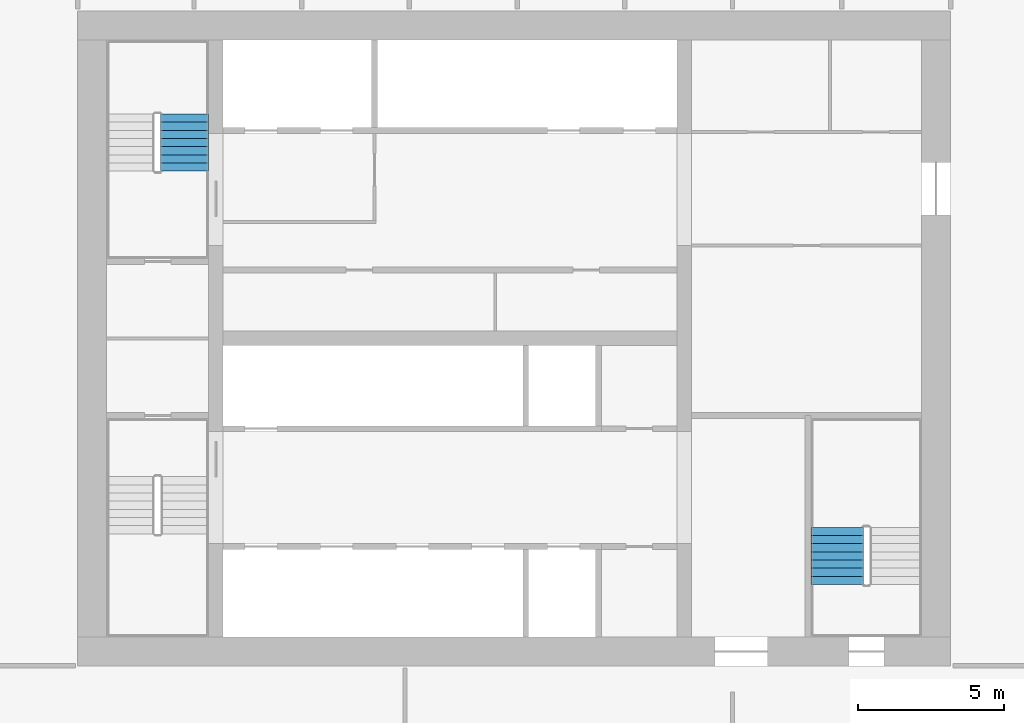
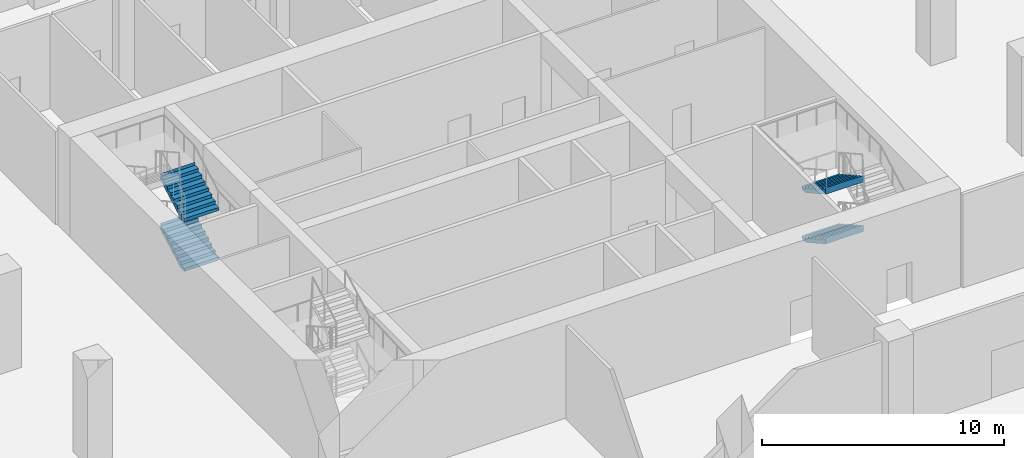
# One storey, part 15 of 32: 4 stair flights, 2 elements without a shape of their own.
"""IFC4 building model written with IfcOpenShell, lengths in metres."""

from ifc_helpers import new_model, si_unit, direction, frame, origin, place, context, subcontext, project, spatial, polyline, outline, extrude, material, type_object, element, aggregate, save


model = new_model("IFC4")

# Units and contexts
model_context = context("Model", 3, precision=1e-05, world=origin(), true_north=direction((0.0, 1.0)))
body_context = subcontext(model_context, "Body", "Model", "MODEL_VIEW")
ifc_project = project(units=[si_unit("LENGTHUNIT", "METRE"), si_unit("AREAUNIT", "SQUARE_METRE"), si_unit("VOLUMEUNIT", "CUBIC_METRE"), si_unit("PLANEANGLEUNIT", "RADIAN"), si_unit("MASSUNIT", "GRAM", prefix="KILO")], contexts=[model_context])

# Site, building, storey
site_placement = place(None, origin())
site = spatial("IfcSite", under=ifc_project, at=site_placement, CompositionType="ELEMENT")
building_placement = place(site_placement, origin())
building = spatial("IfcBuilding", under=site, at=building_placement, Name="Tamorin Gate", CompositionType="ELEMENT")
storey_placement = place(building_placement, frame((0.0, 0.0, 18.5)))
storey = spatial("IfcBuildingStorey", under=building, at=storey_placement, Name="L03", CompositionType="ELEMENT", Elevation=18.5)

# Stair, stair flights
ifc_material = material(Name="Concrete C40/50", Category="concrete")
stair_type = type_object("IfcStairType", Name="Exit stair", PredefinedType="HALF_TURN_STAIR", material=ifc_material)
stair_1_placement = place(storey_placement, origin())
stair_1 = element("IfcStair", 1, at=stair_1_placement, inside=storey, type_object=stair_type, Name="L03 stair ST2", PredefinedType="HALF_TURN_STAIR")
stair_flight_type = type_object("IfcStairFlightType", Name="Exit stair flight", PredefinedType="STRAIGHT", material=ifc_material)
stair_flight_1_placement = place(storey_placement, frame((33.675048828125, 77.0, 0.0), z_axis=(0.0, 0.0, 1.0), x_axis=(0.0, 1.0, 0.0)))
stair_flight_1 = element("IfcStairFlight", 2, at=stair_flight_1_placement, type_object=stair_flight_type, Name="ST2 flight 1", NumberOfRisers=8, NumberOfTreads=7, PredefinedType="STRAIGHT", RiserHeight=0.15625, TreadLength=0.28, context=body_context, shape_type="SweptSolid", body=[
    extrude(outline(polyline([(-0.00048828125, 0.0), (-0.00048828125, 0.00146484375), (-0.00048828125, 0.003173828125), (-0.00048828125, 0.004638671875), (-0.00048828125, 0.006103515625), (-0.00048828125, 0.0078125), (-0.00048828125, 0.00927734375), (-0.00048828125, 0.0107421875), (-0.00048828125, 0.012451171875), (-0.00048828125, 0.013916015625), (-0.00048828125, 0.015380859375), (-0.00048828125, 0.01708984375), (-0.00048828125, 0.0185546875), (-0.00048828125, 0.02001953125), (-0.00048828125, 0.021728515625), (-0.00048828125, 0.023193359375), (-0.00048828125, 0.024658203125), (-0.00048828125, 0.0263671875), (-0.00048828125, 0.02783203125), (-0.00048828125, 0.029296875), (-0.00048828125, 0.031005859375), (-0.00048828125, 0.032470703125), (-0.00048828125, 0.033935546875), (-0.00048828125, 0.03564453125), (-0.00048828125, 0.037109375), (-0.00048828125, 0.03857421875), (-0.00048828125, 0.040283203125), (-0.00048828125, 0.041748046875), (-0.00048828125, 0.043212890625), (-0.00048828125, 0.044921875), (-0.00048828125, 0.04638671875), (-0.00048828125, 0.0478515625), (-0.00048828125, 0.049560546875), (-0.00048828125, 0.051025390625), (-0.00048828125, 0.052490234375), (-0.00048828125, 0.05419921875), (-0.00048828125, 0.0556640625), (-0.00048828125, 0.05712890625), (-0.00048828125, 0.058837890625), (-0.00048828125, 0.060302734375), (-0.00048828125, 0.061767578125), (-0.00048828125, 0.0634765625), (-0.00048828125, 0.06494140625), (-0.00048828125, 0.06640625), (-0.00048828125, 0.068115234375), (-0.00048828125, 0.069580078125), (-0.00048828125, 0.071044921875), (-0.00048828125, 0.07275390625), (-0.00048828125, 0.07421875), (-0.00048828125, 0.07568359375), (-0.00048828125, 0.077392578125), (-0.00048828125, 0.078857421875), (-0.00048828125, 0.08056640625), (-0.00048828125, 0.08203125), (-0.00048828125, 0.08349609375), (-0.00048828125, 0.085205078125), (-0.00048828125, 0.086669921875), (-0.00048828125, 0.088134765625), (-0.00048828125, 0.08984375), (-0.00048828125, 0.09130859375), (-0.00048828125, 0.0927734375), (-0.00048828125, 0.094482421875), (-0.00048828125, 0.095947265625), (-0.00048828125, 0.097412109375), (-0.00048828125, 0.09912109375), (-0.00048828125, 0.1005859375), (-0.00048828125, 0.10205078125), (-0.00048828125, 0.103759765625), (-0.00048828125, 0.105224609375), (-0.00048828125, 0.106689453125), (-0.00048828125, 0.1083984375), (-0.00048828125, 0.10986328125), (-0.00048828125, 0.111328125), (-0.00048828125, 0.113037109375), (-0.00048828125, 0.114501953125), (-0.00048828125, 0.115966796875), (-0.00048828125, 0.11767578125), (-0.00048828125, 0.119140625), (-0.00048828125, 0.12060546875), (-0.00048828125, 0.122314453125), (-0.00048828125, 0.123779296875), (-0.00048828125, 0.125244140625), (-0.00048828125, 0.126953125), (-0.00048828125, 0.12841796875), (-0.00048828125, 0.1298828125), (-0.00048828125, 0.131591796875), (-0.00048828125, 0.133056640625), (-0.00048828125, 0.134521484375), (-0.00048828125, 0.13623046875), (-0.00048828125, 0.1376953125), (-0.00048828125, 0.13916015625), (-0.00048828125, 0.140869140625), (-0.00048828125, 0.142333984375), (-0.00048828125, 0.143798828125), (-0.00048828125, 0.1455078125), (-0.00048828125, 0.14697265625), (-0.00048828125, 0.1484375), (-0.00048828125, 0.150146484375), (-0.00048828125, 0.151611328125), (-0.00048828125, 0.153076171875), (-0.00048828125, 0.15478515625), (-0.00048828125, 0.15625), (0.280029296875, 0.15625), (0.280029296875, 0.3125), (0.56005859375, 0.3125), (0.56005859375, 0.46875), (0.840087890625, 0.46875), (0.840087890625, 0.625), (1.1201171875, 0.625), (1.1201171875, 0.78125), (1.39990234375, 0.78125), (1.39990234375, 0.9375), (1.679931640625, 0.9375), (1.679931640625, 1.09375), (1.9599609375, 1.09375), (1.9599609375, 1.25), (1.96044921875, 1.25), (1.96044921875, 1.246826171875), (1.96044921875, 1.243408203125), (1.96044921875, 1.240234375), (1.96044921875, 1.237060546875), (1.96044921875, 1.23388671875), (1.96044921875, 1.23046875), (1.96044921875, 1.227294921875), (1.96044921875, 1.22412109375), (1.96044921875, 1.220703125), (1.96044921875, 1.217529296875), (1.96044921875, 1.21435546875), (1.96044921875, 1.2109375), (1.96044921875, 1.207763671875), (1.96044921875, 1.20458984375), (1.96044921875, 1.201416015625), (1.96044921875, 1.197998046875), (1.96044921875, 1.19482421875), (1.96044921875, 1.191650390625), (1.96044921875, 1.188232421875), (1.96044921875, 1.18505859375), (1.96044921875, 1.181884765625), (1.96044921875, 1.178466796875), (1.96044921875, 1.17529296875), (1.96044921875, 1.172119140625), (1.96044921875, 1.1689453125), (1.96044921875, 1.16552734375), (1.96044921875, 1.162353515625), (1.96044921875, 1.1591796875), (1.96044921875, 1.15576171875), (1.96044921875, 1.152587890625), (1.96044921875, 1.1494140625), (1.96044921875, 1.14599609375), (1.96044921875, 1.142822265625), (1.96044921875, 1.1396484375), (1.96044921875, 1.136474609375), (1.96044921875, 1.133056640625), (1.96044921875, 1.1298828125), (1.96044921875, 1.126708984375), (1.96044921875, 1.123291015625), (1.96044921875, 1.1201171875), (1.96044921875, 1.116943359375), (1.96044921875, 1.113525390625), (1.96044921875, 1.1103515625), (1.96044921875, 1.107177734375), (1.96044921875, 1.10400390625), (1.96044921875, 1.1005859375), (1.96044921875, 1.097412109375), (1.96044921875, 1.09423828125), (1.96044921875, 1.0908203125), (1.96044921875, 1.087646484375), (1.96044921875, 1.08447265625), (1.96044921875, 1.0810546875), (1.96044921875, 1.077880859375), (1.96044921875, 1.07470703125), (1.96044921875, 1.071533203125), (1.96044921875, 1.068115234375), (1.96044921875, 1.06494140625), (1.96044921875, 1.061767578125), (1.96044921875, 1.058349609375), (1.96044921875, 1.05517578125), (1.96044921875, 1.052001953125), (1.96044921875, 1.048828125), (1.96044921875, 1.04541015625), (1.96044921875, 1.042236328125), (1.96044921875, 1.0390625), (1.96044921875, 1.03564453125), (1.96044921875, 1.032470703125), (1.96044921875, 1.029296875), (1.96044921875, 1.02587890625), (1.96044921875, 1.022705078125), (1.96044921875, 1.01953125), (1.96044921875, 1.016357421875), (1.96044921875, 1.012939453125), (1.96044921875, 1.009765625), (1.96044921875, 1.006591796875), (1.96044921875, 1.003173828125), (1.96044921875, 1.0), (1.96044921875, 0.996826171875), (1.96044921875, 0.993408203125), (1.96044921875, 0.990234375), (1.96044921875, 0.987060546875), (1.96044921875, 0.98388671875), (1.96044921875, 0.98046875), (1.96044921875, 0.977294921875), (1.96044921875, 0.97412109375), (1.96044921875, 0.970703125), (1.96044921875, 0.967529296875), (1.96044921875, 0.96435546875), (1.96044921875, 0.9609375), (1.96044921875, 0.957763671875), (1.96044921875, 0.95458984375), (1.96044921875, 0.951416015625), (1.96044921875, 0.947998046875), (1.96044921875, 0.94482421875), (1.96044921875, 0.941650390625), (1.96044921875, 0.938232421875), (1.96044921875, 0.93505859375), (1.96044921875, 0.931884765625), (1.96044921875, 0.928466796875), (1.96044921875, 0.92529296875), (1.96044921875, 0.922119140625), (1.9599609375, 0.922119140625), (0.3076171875, 0.0), (-0.00048828125, 0.0)])), frame((0.0, 0.824951171875, 0.0), z_axis=(0.0, -1.0, 0.0), x_axis=(1.0, 0.0, 0.0)), (0.0, 0.0, 1.0), 1.64990234375),
])
stair_flight_2_placement = place(storey_placement, frame((33.675048828125, 77.0, 2.5), z_axis=(0.0, 0.0, 1.0), x_axis=(0.0, 1.0, 0.0)))
stair_flight_2 = element("IfcStairFlight", 3, at=stair_flight_2_placement, type_object=stair_flight_type, Name="ST2 flight 3", NumberOfRisers=8, NumberOfTreads=7, PredefinedType="STRAIGHT", RiserHeight=0.15625, TreadLength=0.28, context=body_context, shape_type="SweptSolid", body=[
    extrude(outline(polyline([(-0.00048828125, 0.0), (-0.00048828125, 0.00146484375), (-0.00048828125, 0.003173828125), (-0.00048828125, 0.004638671875), (-0.00048828125, 0.006103515625), (-0.00048828125, 0.0078125), (-0.00048828125, 0.00927734375), (-0.00048828125, 0.0107421875), (-0.00048828125, 0.012451171875), (-0.00048828125, 0.013916015625), (-0.00048828125, 0.015380859375), (-0.00048828125, 0.01708984375), (-0.00048828125, 0.0185546875), (-0.00048828125, 0.02001953125), (-0.00048828125, 0.021728515625), (-0.00048828125, 0.023193359375), (-0.00048828125, 0.024658203125), (-0.00048828125, 0.0263671875), (-0.00048828125, 0.02783203125), (-0.00048828125, 0.029296875), (-0.00048828125, 0.031005859375), (-0.00048828125, 0.032470703125), (-0.00048828125, 0.033935546875), (-0.00048828125, 0.03564453125), (-0.00048828125, 0.037109375), (-0.00048828125, 0.03857421875), (-0.00048828125, 0.040283203125), (-0.00048828125, 0.041748046875), (-0.00048828125, 0.043212890625), (-0.00048828125, 0.044921875), (-0.00048828125, 0.04638671875), (-0.00048828125, 0.0478515625), (-0.00048828125, 0.049560546875), (-0.00048828125, 0.051025390625), (-0.00048828125, 0.052490234375), (-0.00048828125, 0.05419921875), (-0.00048828125, 0.0556640625), (-0.00048828125, 0.05712890625), (-0.00048828125, 0.058837890625), (-0.00048828125, 0.060302734375), (-0.00048828125, 0.061767578125), (-0.00048828125, 0.0634765625), (-0.00048828125, 0.06494140625), (-0.00048828125, 0.06640625), (-0.00048828125, 0.068115234375), (-0.00048828125, 0.069580078125), (-0.00048828125, 0.071044921875), (-0.00048828125, 0.07275390625), (-0.00048828125, 0.07421875), (-0.00048828125, 0.07568359375), (-0.00048828125, 0.077392578125), (-0.00048828125, 0.078857421875), (-0.00048828125, 0.08056640625), (-0.00048828125, 0.08203125), (-0.00048828125, 0.08349609375), (-0.00048828125, 0.085205078125), (-0.00048828125, 0.086669921875), (-0.00048828125, 0.088134765625), (-0.00048828125, 0.08984375), (-0.00048828125, 0.09130859375), (-0.00048828125, 0.0927734375), (-0.00048828125, 0.094482421875), (-0.00048828125, 0.095947265625), (-0.00048828125, 0.097412109375), (-0.00048828125, 0.09912109375), (-0.00048828125, 0.1005859375), (-0.00048828125, 0.10205078125), (-0.00048828125, 0.103759765625), (-0.00048828125, 0.105224609375), (-0.00048828125, 0.106689453125), (-0.00048828125, 0.1083984375), (-0.00048828125, 0.10986328125), (-0.00048828125, 0.111328125), (-0.00048828125, 0.113037109375), (-0.00048828125, 0.114501953125), (-0.00048828125, 0.115966796875), (-0.00048828125, 0.11767578125), (-0.00048828125, 0.119140625), (-0.00048828125, 0.12060546875), (-0.00048828125, 0.122314453125), (-0.00048828125, 0.123779296875), (-0.00048828125, 0.125244140625), (-0.00048828125, 0.126953125), (-0.00048828125, 0.12841796875), (-0.00048828125, 0.1298828125), (-0.00048828125, 0.131591796875), (-0.00048828125, 0.133056640625), (-0.00048828125, 0.134521484375), (-0.00048828125, 0.13623046875), (-0.00048828125, 0.1376953125), (-0.00048828125, 0.13916015625), (-0.00048828125, 0.140869140625), (-0.00048828125, 0.142333984375), (-0.00048828125, 0.143798828125), (-0.00048828125, 0.1455078125), (-0.00048828125, 0.14697265625), (-0.00048828125, 0.1484375), (-0.00048828125, 0.150146484375), (-0.00048828125, 0.151611328125), (-0.00048828125, 0.153076171875), (-0.00048828125, 0.15478515625), (-0.00048828125, 0.15625), (0.280029296875, 0.15625), (0.280029296875, 0.3125), (0.56005859375, 0.3125), (0.56005859375, 0.46875), (0.840087890625, 0.46875), (0.840087890625, 0.625), (1.1201171875, 0.625), (1.1201171875, 0.78125), (1.39990234375, 0.78125), (1.39990234375, 0.9375), (1.679931640625, 0.9375), (1.679931640625, 1.09375), (1.9599609375, 1.09375), (1.9599609375, 1.25), (1.96044921875, 1.25), (1.96044921875, 1.246826171875), (1.96044921875, 1.243408203125), (1.96044921875, 1.240234375), (1.96044921875, 1.237060546875), (1.96044921875, 1.23388671875), (1.96044921875, 1.23046875), (1.96044921875, 1.227294921875), (1.96044921875, 1.22412109375), (1.96044921875, 1.220703125), (1.96044921875, 1.217529296875), (1.96044921875, 1.21435546875), (1.96044921875, 1.2109375), (1.96044921875, 1.207763671875), (1.96044921875, 1.20458984375), (1.96044921875, 1.201416015625), (1.96044921875, 1.197998046875), (1.96044921875, 1.19482421875), (1.96044921875, 1.191650390625), (1.96044921875, 1.188232421875), (1.96044921875, 1.18505859375), (1.96044921875, 1.181884765625), (1.96044921875, 1.178466796875), (1.96044921875, 1.17529296875), (1.96044921875, 1.172119140625), (1.96044921875, 1.1689453125), (1.96044921875, 1.16552734375), (1.96044921875, 1.162353515625), (1.96044921875, 1.1591796875), (1.96044921875, 1.15576171875), (1.96044921875, 1.152587890625), (1.96044921875, 1.1494140625), (1.96044921875, 1.14599609375), (1.96044921875, 1.142822265625), (1.96044921875, 1.1396484375), (1.96044921875, 1.136474609375), (1.96044921875, 1.133056640625), (1.96044921875, 1.1298828125), (1.96044921875, 1.126708984375), (1.96044921875, 1.123291015625), (1.96044921875, 1.1201171875), (1.96044921875, 1.116943359375), (1.96044921875, 1.113525390625), (1.96044921875, 1.1103515625), (1.96044921875, 1.107177734375), (1.96044921875, 1.10400390625), (1.96044921875, 1.1005859375), (1.96044921875, 1.097412109375), (1.96044921875, 1.09423828125), (1.96044921875, 1.0908203125), (1.96044921875, 1.087646484375), (1.96044921875, 1.08447265625), (1.96044921875, 1.0810546875), (1.96044921875, 1.077880859375), (1.96044921875, 1.07470703125), (1.96044921875, 1.071533203125), (1.96044921875, 1.068115234375), (1.96044921875, 1.06494140625), (1.96044921875, 1.061767578125), (1.96044921875, 1.058349609375), (1.96044921875, 1.05517578125), (1.96044921875, 1.052001953125), (1.96044921875, 1.048828125), (1.96044921875, 1.04541015625), (1.96044921875, 1.042236328125), (1.96044921875, 1.0390625), (1.96044921875, 1.03564453125), (1.96044921875, 1.032470703125), (1.96044921875, 1.029296875), (1.96044921875, 1.02587890625), (1.96044921875, 1.022705078125), (1.96044921875, 1.01953125), (1.96044921875, 1.016357421875), (1.96044921875, 1.012939453125), (1.96044921875, 1.009765625), (1.96044921875, 1.006591796875), (1.96044921875, 1.003173828125), (1.96044921875, 1.0), (1.96044921875, 0.996826171875), (1.96044921875, 0.993408203125), (1.96044921875, 0.990234375), (1.96044921875, 0.987060546875), (1.96044921875, 0.98388671875), (1.96044921875, 0.98046875), (1.96044921875, 0.977294921875), (1.96044921875, 0.97412109375), (1.96044921875, 0.970703125), (1.96044921875, 0.967529296875), (1.96044921875, 0.96435546875), (1.96044921875, 0.9609375), (1.96044921875, 0.957763671875), (1.96044921875, 0.95458984375), (1.96044921875, 0.951416015625), (1.96044921875, 0.947998046875), (1.96044921875, 0.94482421875), (1.96044921875, 0.941650390625), (1.96044921875, 0.938232421875), (1.96044921875, 0.93505859375), (1.96044921875, 0.931884765625), (1.96044921875, 0.928466796875), (1.96044921875, 0.92529296875), (1.96044921875, 0.922119140625), (1.9599609375, 0.922119140625), (0.3076171875, 0.0), (-0.00048828125, 0.0)])), frame((0.0, 0.824951171875, 0.0), z_axis=(0.0, -1.0, 0.0), x_axis=(1.0, 0.0, 0.0)), (0.0, 0.0, 1.0), 1.64990234375),
])
aggregate(stair_1, [stair_flight_1, stair_flight_2])

stair_2_placement = place(storey_placement, origin())
stair_2 = element("IfcStair", 4, at=stair_2_placement, inside=storey, type_object=stair_type, Name="L03 stair ST3", PredefinedType="HALF_TURN_STAIR")
stair_flight_3_placement = place(storey_placement, frame((56.10009765625, 64.760009765625, 1.25), z_axis=(0.0, 0.0, 1.0), x_axis=(0.0, -1.0, 0.0)))
stair_flight_3 = element("IfcStairFlight", 5, at=stair_flight_3_placement, type_object=stair_flight_type, Name="ST3 flight 2", NumberOfRisers=8, NumberOfTreads=7, PredefinedType="STRAIGHT", RiserHeight=0.15625, TreadLength=0.28, context=body_context, shape_type="SweptSolid", body=[
    extrude(outline(polyline([(-0.00048828125, 0.0), (-0.00048828125, 0.00146484375), (-0.00048828125, 0.003173828125), (-0.00048828125, 0.004638671875), (-0.00048828125, 0.006103515625), (-0.00048828125, 0.0078125), (-0.00048828125, 0.00927734375), (-0.00048828125, 0.0107421875), (-0.00048828125, 0.012451171875), (-0.00048828125, 0.013916015625), (-0.00048828125, 0.015380859375), (-0.00048828125, 0.01708984375), (-0.00048828125, 0.0185546875), (-0.00048828125, 0.02001953125), (-0.00048828125, 0.021728515625), (-0.00048828125, 0.023193359375), (-0.00048828125, 0.024658203125), (-0.00048828125, 0.0263671875), (-0.00048828125, 0.02783203125), (-0.00048828125, 0.029296875), (-0.00048828125, 0.031005859375), (-0.00048828125, 0.032470703125), (-0.00048828125, 0.033935546875), (-0.00048828125, 0.03564453125), (-0.00048828125, 0.037109375), (-0.00048828125, 0.03857421875), (-0.00048828125, 0.040283203125), (-0.00048828125, 0.041748046875), (-0.00048828125, 0.043212890625), (-0.00048828125, 0.044921875), (-0.00048828125, 0.04638671875), (-0.00048828125, 0.0478515625), (-0.00048828125, 0.049560546875), (-0.00048828125, 0.051025390625), (-0.00048828125, 0.052490234375), (-0.00048828125, 0.05419921875), (-0.00048828125, 0.0556640625), (-0.00048828125, 0.05712890625), (-0.00048828125, 0.058837890625), (-0.00048828125, 0.060302734375), (-0.00048828125, 0.061767578125), (-0.00048828125, 0.0634765625), (-0.00048828125, 0.06494140625), (-0.00048828125, 0.06640625), (-0.00048828125, 0.068115234375), (-0.00048828125, 0.069580078125), (-0.00048828125, 0.071044921875), (-0.00048828125, 0.07275390625), (-0.00048828125, 0.07421875), (-0.00048828125, 0.07568359375), (-0.00048828125, 0.077392578125), (-0.00048828125, 0.078857421875), (-0.00048828125, 0.08056640625), (-0.00048828125, 0.08203125), (-0.00048828125, 0.08349609375), (-0.00048828125, 0.085205078125), (-0.00048828125, 0.086669921875), (-0.00048828125, 0.088134765625), (-0.00048828125, 0.08984375), (-0.00048828125, 0.09130859375), (-0.00048828125, 0.0927734375), (-0.00048828125, 0.094482421875), (-0.00048828125, 0.095947265625), (-0.00048828125, 0.097412109375), (-0.00048828125, 0.09912109375), (-0.00048828125, 0.1005859375), (-0.00048828125, 0.10205078125), (-0.00048828125, 0.103759765625), (-0.00048828125, 0.105224609375), (-0.00048828125, 0.106689453125), (-0.00048828125, 0.1083984375), (-0.00048828125, 0.10986328125), (-0.00048828125, 0.111328125), (-0.00048828125, 0.113037109375), (-0.00048828125, 0.114501953125), (-0.00048828125, 0.115966796875), (-0.00048828125, 0.11767578125), (-0.00048828125, 0.119140625), (-0.00048828125, 0.12060546875), (-0.00048828125, 0.122314453125), (-0.00048828125, 0.123779296875), (-0.00048828125, 0.125244140625), (-0.00048828125, 0.126953125), (-0.00048828125, 0.12841796875), (-0.00048828125, 0.1298828125), (-0.00048828125, 0.131591796875), (-0.00048828125, 0.133056640625), (-0.00048828125, 0.134521484375), (-0.00048828125, 0.13623046875), (-0.00048828125, 0.1376953125), (-0.00048828125, 0.13916015625), (-0.00048828125, 0.140869140625), (-0.00048828125, 0.142333984375), (-0.00048828125, 0.143798828125), (-0.00048828125, 0.1455078125), (-0.00048828125, 0.14697265625), (-0.00048828125, 0.1484375), (-0.00048828125, 0.150146484375), (-0.00048828125, 0.151611328125), (-0.00048828125, 0.153076171875), (-0.00048828125, 0.15478515625), (-0.00048828125, 0.15625), (0.280029296875, 0.15625), (0.280029296875, 0.3125), (0.56005859375, 0.3125), (0.56005859375, 0.46875), (0.840087890625, 0.46875), (0.840087890625, 0.625), (1.1201171875, 0.625), (1.1201171875, 0.78125), (1.39990234375, 0.78125), (1.39990234375, 0.9375), (1.679931640625, 0.9375), (1.679931640625, 1.09375), (1.9599609375, 1.09375), (1.9599609375, 1.25), (1.96044921875, 1.25), (1.96044921875, 1.246826171875), (1.96044921875, 1.243408203125), (1.96044921875, 1.240234375), (1.96044921875, 1.237060546875), (1.96044921875, 1.23388671875), (1.96044921875, 1.23046875), (1.96044921875, 1.227294921875), (1.96044921875, 1.22412109375), (1.96044921875, 1.220703125), (1.96044921875, 1.217529296875), (1.96044921875, 1.21435546875), (1.96044921875, 1.2109375), (1.96044921875, 1.207763671875), (1.96044921875, 1.20458984375), (1.96044921875, 1.201416015625), (1.96044921875, 1.197998046875), (1.96044921875, 1.19482421875), (1.96044921875, 1.191650390625), (1.96044921875, 1.188232421875), (1.96044921875, 1.18505859375), (1.96044921875, 1.181884765625), (1.96044921875, 1.178466796875), (1.96044921875, 1.17529296875), (1.96044921875, 1.172119140625), (1.96044921875, 1.1689453125), (1.96044921875, 1.16552734375), (1.96044921875, 1.162353515625), (1.96044921875, 1.1591796875), (1.96044921875, 1.15576171875), (1.96044921875, 1.152587890625), (1.96044921875, 1.1494140625), (1.96044921875, 1.14599609375), (1.96044921875, 1.142822265625), (1.96044921875, 1.1396484375), (1.96044921875, 1.136474609375), (1.96044921875, 1.133056640625), (1.96044921875, 1.1298828125), (1.96044921875, 1.126708984375), (1.96044921875, 1.123291015625), (1.96044921875, 1.1201171875), (1.96044921875, 1.116943359375), (1.96044921875, 1.113525390625), (1.96044921875, 1.1103515625), (1.96044921875, 1.107177734375), (1.96044921875, 1.10400390625), (1.96044921875, 1.1005859375), (1.96044921875, 1.097412109375), (1.96044921875, 1.09423828125), (1.96044921875, 1.0908203125), (1.96044921875, 1.087646484375), (1.96044921875, 1.08447265625), (1.96044921875, 1.0810546875), (1.96044921875, 1.077880859375), (1.96044921875, 1.07470703125), (1.96044921875, 1.071533203125), (1.96044921875, 1.068115234375), (1.96044921875, 1.06494140625), (1.96044921875, 1.061767578125), (1.96044921875, 1.058349609375), (1.96044921875, 1.05517578125), (1.96044921875, 1.052001953125), (1.96044921875, 1.048828125), (1.96044921875, 1.04541015625), (1.96044921875, 1.042236328125), (1.96044921875, 1.0390625), (1.96044921875, 1.03564453125), (1.96044921875, 1.032470703125), (1.96044921875, 1.029296875), (1.96044921875, 1.02587890625), (1.96044921875, 1.022705078125), (1.96044921875, 1.01953125), (1.96044921875, 1.016357421875), (1.96044921875, 1.012939453125), (1.96044921875, 1.009765625), (1.96044921875, 1.006591796875), (1.96044921875, 1.003173828125), (1.96044921875, 1.0), (1.96044921875, 0.996826171875), (1.96044921875, 0.993408203125), (1.96044921875, 0.990234375), (1.96044921875, 0.987060546875), (1.96044921875, 0.98388671875), (1.96044921875, 0.98046875), (1.96044921875, 0.977294921875), (1.96044921875, 0.97412109375), (1.96044921875, 0.970703125), (1.96044921875, 0.967529296875), (1.96044921875, 0.96435546875), (1.96044921875, 0.9609375), (1.96044921875, 0.957763671875), (1.96044921875, 0.95458984375), (1.96044921875, 0.951416015625), (1.96044921875, 0.947998046875), (1.96044921875, 0.94482421875), (1.96044921875, 0.941650390625), (1.96044921875, 0.938232421875), (1.96044921875, 0.93505859375), (1.96044921875, 0.931884765625), (1.96044921875, 0.928466796875), (1.96044921875, 0.92529296875), (1.96044921875, 0.922119140625), (1.9599609375, 0.922119140625), (0.3076171875, 0.0), (-0.00048828125, 0.0)])), frame((0.0, 0.89990234375, 0.0), z_axis=(0.0, -1.0, 0.0), x_axis=(1.0, 0.0, 0.0)), (0.0, 0.0, 1.0), 1.800048828125),
])
stair_flight_4_placement = place(storey_placement, frame((56.10009765625, 64.760009765625, 3.75), z_axis=(0.0, 0.0, 1.0), x_axis=(0.0, -1.0, 0.0)))
stair_flight_4 = element("IfcStairFlight", 6, at=stair_flight_4_placement, type_object=stair_flight_type, Name="ST3 flight 4", NumberOfRisers=8, NumberOfTreads=7, PredefinedType="STRAIGHT", RiserHeight=0.15625, TreadLength=0.28, context=body_context, shape_type="SweptSolid", body=[
    extrude(outline(polyline([(-0.00048828125, 0.0), (-0.00048828125, 0.00146484375), (-0.00048828125, 0.003173828125), (-0.00048828125, 0.004638671875), (-0.00048828125, 0.006103515625), (-0.00048828125, 0.0078125), (-0.00048828125, 0.00927734375), (-0.00048828125, 0.0107421875), (-0.00048828125, 0.012451171875), (-0.00048828125, 0.013916015625), (-0.00048828125, 0.015380859375), (-0.00048828125, 0.01708984375), (-0.00048828125, 0.0185546875), (-0.00048828125, 0.02001953125), (-0.00048828125, 0.021728515625), (-0.00048828125, 0.023193359375), (-0.00048828125, 0.024658203125), (-0.00048828125, 0.0263671875), (-0.00048828125, 0.02783203125), (-0.00048828125, 0.029296875), (-0.00048828125, 0.031005859375), (-0.00048828125, 0.032470703125), (-0.00048828125, 0.033935546875), (-0.00048828125, 0.03564453125), (-0.00048828125, 0.037109375), (-0.00048828125, 0.03857421875), (-0.00048828125, 0.040283203125), (-0.00048828125, 0.041748046875), (-0.00048828125, 0.043212890625), (-0.00048828125, 0.044921875), (-0.00048828125, 0.04638671875), (-0.00048828125, 0.0478515625), (-0.00048828125, 0.049560546875), (-0.00048828125, 0.051025390625), (-0.00048828125, 0.052490234375), (-0.00048828125, 0.05419921875), (-0.00048828125, 0.0556640625), (-0.00048828125, 0.05712890625), (-0.00048828125, 0.058837890625), (-0.00048828125, 0.060302734375), (-0.00048828125, 0.061767578125), (-0.00048828125, 0.0634765625), (-0.00048828125, 0.06494140625), (-0.00048828125, 0.06640625), (-0.00048828125, 0.068115234375), (-0.00048828125, 0.069580078125), (-0.00048828125, 0.071044921875), (-0.00048828125, 0.07275390625), (-0.00048828125, 0.07421875), (-0.00048828125, 0.07568359375), (-0.00048828125, 0.077392578125), (-0.00048828125, 0.078857421875), (-0.00048828125, 0.08056640625), (-0.00048828125, 0.08203125), (-0.00048828125, 0.08349609375), (-0.00048828125, 0.085205078125), (-0.00048828125, 0.086669921875), (-0.00048828125, 0.088134765625), (-0.00048828125, 0.08984375), (-0.00048828125, 0.09130859375), (-0.00048828125, 0.0927734375), (-0.00048828125, 0.094482421875), (-0.00048828125, 0.095947265625), (-0.00048828125, 0.097412109375), (-0.00048828125, 0.09912109375), (-0.00048828125, 0.1005859375), (-0.00048828125, 0.10205078125), (-0.00048828125, 0.103759765625), (-0.00048828125, 0.105224609375), (-0.00048828125, 0.106689453125), (-0.00048828125, 0.1083984375), (-0.00048828125, 0.10986328125), (-0.00048828125, 0.111328125), (-0.00048828125, 0.113037109375), (-0.00048828125, 0.114501953125), (-0.00048828125, 0.115966796875), (-0.00048828125, 0.11767578125), (-0.00048828125, 0.119140625), (-0.00048828125, 0.12060546875), (-0.00048828125, 0.122314453125), (-0.00048828125, 0.123779296875), (-0.00048828125, 0.125244140625), (-0.00048828125, 0.126953125), (-0.00048828125, 0.12841796875), (-0.00048828125, 0.1298828125), (-0.00048828125, 0.131591796875), (-0.00048828125, 0.133056640625), (-0.00048828125, 0.134521484375), (-0.00048828125, 0.13623046875), (-0.00048828125, 0.1376953125), (-0.00048828125, 0.13916015625), (-0.00048828125, 0.140869140625), (-0.00048828125, 0.142333984375), (-0.00048828125, 0.143798828125), (-0.00048828125, 0.1455078125), (-0.00048828125, 0.14697265625), (-0.00048828125, 0.1484375), (-0.00048828125, 0.150146484375), (-0.00048828125, 0.151611328125), (-0.00048828125, 0.153076171875), (-0.00048828125, 0.15478515625), (-0.00048828125, 0.15625), (0.280029296875, 0.15625), (0.280029296875, 0.3125), (0.56005859375, 0.3125), (0.56005859375, 0.46875), (0.840087890625, 0.46875), (0.840087890625, 0.625), (1.1201171875, 0.625), (1.1201171875, 0.78125), (1.39990234375, 0.78125), (1.39990234375, 0.9375), (1.679931640625, 0.9375), (1.679931640625, 1.09375), (1.9599609375, 1.09375), (1.9599609375, 1.25), (1.96044921875, 1.25), (1.96044921875, 1.246826171875), (1.96044921875, 1.243408203125), (1.96044921875, 1.240234375), (1.96044921875, 1.237060546875), (1.96044921875, 1.23388671875), (1.96044921875, 1.23046875), (1.96044921875, 1.227294921875), (1.96044921875, 1.22412109375), (1.96044921875, 1.220703125), (1.96044921875, 1.217529296875), (1.96044921875, 1.21435546875), (1.96044921875, 1.2109375), (1.96044921875, 1.207763671875), (1.96044921875, 1.20458984375), (1.96044921875, 1.201416015625), (1.96044921875, 1.197998046875), (1.96044921875, 1.19482421875), (1.96044921875, 1.191650390625), (1.96044921875, 1.188232421875), (1.96044921875, 1.18505859375), (1.96044921875, 1.181884765625), (1.96044921875, 1.178466796875), (1.96044921875, 1.17529296875), (1.96044921875, 1.172119140625), (1.96044921875, 1.1689453125), (1.96044921875, 1.16552734375), (1.96044921875, 1.162353515625), (1.96044921875, 1.1591796875), (1.96044921875, 1.15576171875), (1.96044921875, 1.152587890625), (1.96044921875, 1.1494140625), (1.96044921875, 1.14599609375), (1.96044921875, 1.142822265625), (1.96044921875, 1.1396484375), (1.96044921875, 1.136474609375), (1.96044921875, 1.133056640625), (1.96044921875, 1.1298828125), (1.96044921875, 1.126708984375), (1.96044921875, 1.123291015625), (1.96044921875, 1.1201171875), (1.96044921875, 1.116943359375), (1.96044921875, 1.113525390625), (1.96044921875, 1.1103515625), (1.96044921875, 1.107177734375), (1.96044921875, 1.10400390625), (1.96044921875, 1.1005859375), (1.96044921875, 1.097412109375), (1.96044921875, 1.09423828125), (1.96044921875, 1.0908203125), (1.96044921875, 1.087646484375), (1.96044921875, 1.08447265625), (1.96044921875, 1.0810546875), (1.96044921875, 1.077880859375), (1.96044921875, 1.07470703125), (1.96044921875, 1.071533203125), (1.96044921875, 1.068115234375), (1.96044921875, 1.06494140625), (1.96044921875, 1.061767578125), (1.96044921875, 1.058349609375), (1.96044921875, 1.05517578125), (1.96044921875, 1.052001953125), (1.96044921875, 1.048828125), (1.96044921875, 1.04541015625), (1.96044921875, 1.042236328125), (1.96044921875, 1.0390625), (1.96044921875, 1.03564453125), (1.96044921875, 1.032470703125), (1.96044921875, 1.029296875), (1.96044921875, 1.02587890625), (1.96044921875, 1.022705078125), (1.96044921875, 1.01953125), (1.96044921875, 1.016357421875), (1.96044921875, 1.012939453125), (1.96044921875, 1.009765625), (1.96044921875, 1.006591796875), (1.96044921875, 1.003173828125), (1.96044921875, 1.0), (1.96044921875, 0.996826171875), (1.96044921875, 0.993408203125), (1.96044921875, 0.990234375), (1.96044921875, 0.987060546875), (1.96044921875, 0.98388671875), (1.96044921875, 0.98046875), (1.96044921875, 0.977294921875), (1.96044921875, 0.97412109375), (1.96044921875, 0.970703125), (1.96044921875, 0.967529296875), (1.96044921875, 0.96435546875), (1.96044921875, 0.9609375), (1.96044921875, 0.957763671875), (1.96044921875, 0.95458984375), (1.96044921875, 0.951416015625), (1.96044921875, 0.947998046875), (1.96044921875, 0.94482421875), (1.96044921875, 0.941650390625), (1.96044921875, 0.938232421875), (1.96044921875, 0.93505859375), (1.96044921875, 0.931884765625), (1.96044921875, 0.928466796875), (1.96044921875, 0.92529296875), (1.96044921875, 0.922119140625), (1.9599609375, 0.922119140625), (0.3076171875, 0.0), (-0.00048828125, 0.0)])), frame((0.0, 0.89990234375, 0.0), z_axis=(0.0, -1.0, 0.0), x_axis=(1.0, 0.0, 0.0)), (0.0, 0.0, 1.0), 1.800048828125),
])
aggregate(stair_2, [stair_flight_3, stair_flight_4])

save(model, "model.ifc")
